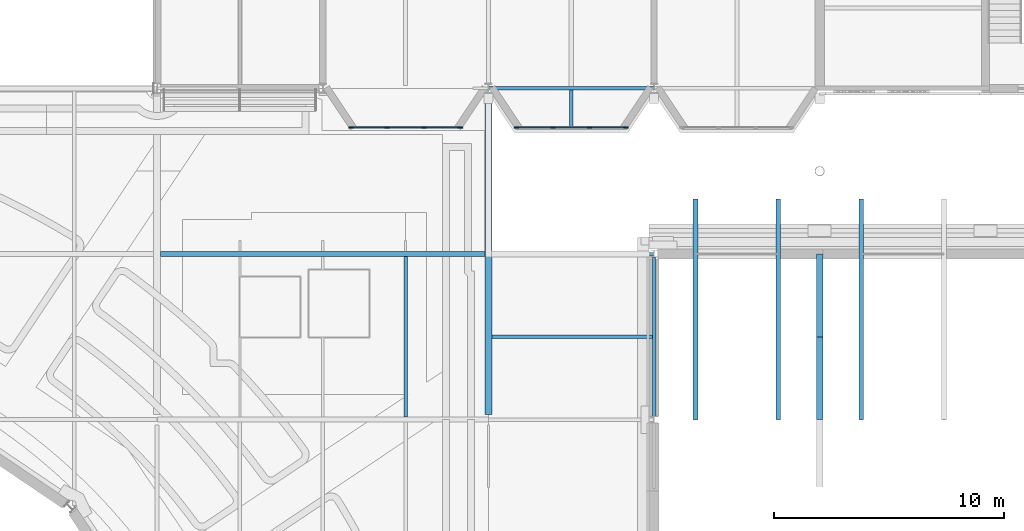
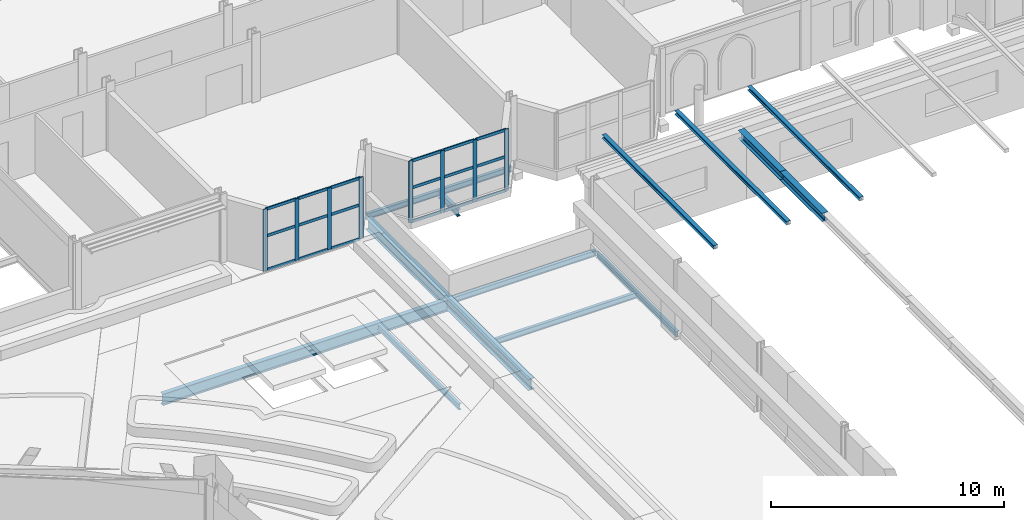
# One storey, part 25 of 110: 31 members, 8 beams, 2 elements without a shape of their own.
"""IFC4 building model written with IfcOpenShell, lengths in metres."""

from ifc_helpers import new_model, si_unit, direction, frame, origin, origin_2d, place, context, subcontext, project, spatial, rectangle, i_section, extrude, material, material_profile, profile_set, type_object, element, aggregate, save


model = new_model("IFC4")

# Units and contexts
model_context = context("Model", 3, precision=1e-05, world=origin(), true_north=direction((0.0, 1.0)))
body_context = subcontext(model_context, "Body", "Model", "MODEL_VIEW")
ifc_project = project(units=[si_unit("LENGTHUNIT", "METRE"), si_unit("AREAUNIT", "SQUARE_METRE"), si_unit("VOLUMEUNIT", "CUBIC_METRE"), si_unit("PLANEANGLEUNIT", "RADIAN"), si_unit("MASSUNIT", "GRAM", prefix="KILO")], contexts=[model_context])

# Site, building, storey
site_placement = place(None, origin())
site = spatial("IfcSite", under=ifc_project, at=site_placement, CompositionType="ELEMENT")
building_placement = place(site_placement, origin())
building = spatial("IfcBuilding", under=site, at=building_placement, Name="Kupolbacken Congress Centre", CompositionType="ELEMENT")
storey_placement = place(building_placement, frame((0.0, 0.0, 18.0)))
storey = spatial("IfcBuildingStorey", under=building, at=storey_placement, Name="L05", CompositionType="ELEMENT", Elevation=18.0)

# Beams
ifc_material_1 = material(Name="Steel S355", Category="steel")
ifc_material_profile_1 = material_profile(ifc_material_1, i_section(OverallWidth=0.14990234375, OverallDepth=0.300048828125, WebThickness=0.007080078125, FlangeThickness=0.0107421875, FilletRadius=0.014892578125, at=origin_2d()), Name="IPE 300")
ifc_profile_set_1 = profile_set([ifc_material_profile_1], Name="Steel S355")
beam_type_1 = type_object("IfcBeamType", Name="B04 beam IPE 300", PredefinedType="BEAM", material=ifc_profile_set_1)
beam_1_placement = place(storey_placement, frame((75.60009765625, 108.110107421875, -0.330078125), z_axis=(0.0, 1.0, 0.0), x_axis=(-1.0, 0.0, 0.0)))
element("IfcBeam", 1, at=beam_1_placement, inside=storey, type_object=beam_type_1, Name="S/floor/P/L05/S159", PredefinedType="BEAM", context=body_context, shape_type="SweptSolid", body=[
    extrude(i_section(OverallWidth=0.14990234375, OverallDepth=0.300048828125, WebThickness=0.007080078125, FlangeThickness=0.0107421875, FilletRadius=0.014892578125, at=origin_2d()), origin(), (0.0, 0.0, 1.0), 6.97998046875),
])
beam_2_placement = place(storey_placement, frame((86.39990234375, 108.14501953125, -0.330078125), z_axis=(0.0, 1.0, 0.0), x_axis=(-1.0, 0.0, 0.0)))
element("IfcBeam", 2, at=beam_2_placement, inside=storey, type_object=beam_type_1, Name="S/floor/LINK/L05/E009", PredefinedType="BEAM", context=body_context, shape_type="SweptSolid", body=[
    extrude(i_section(OverallWidth=0.14990234375, OverallDepth=0.300048828125, WebThickness=0.007080078125, FlangeThickness=0.0107421875, FilletRadius=0.014892578125, at=origin_2d()), origin(), (0.0, 0.0, 1.0), 6.909912109375),
])
beam_3_placement = place(storey_placement, frame((79.35009765625, 111.60009765625, -0.330078125), z_axis=(1.0, 0.0, 0.0), x_axis=(0.0, 1.0, 0.0)))
element("IfcBeam", 3, at=beam_3_placement, inside=storey, type_object=beam_type_1, Name="S/floor/LINK/L05/R021", PredefinedType="BEAM", context=body_context, shape_type="SweptSolid", body=[
    extrude(i_section(OverallWidth=0.14990234375, OverallDepth=0.300048828125, WebThickness=0.007080078125, FlangeThickness=0.0107421875, FilletRadius=0.014892578125, at=origin_2d()), origin(), (0.0, 0.0, 1.0), 6.974853515625),
])
beam_4_placement = place(storey_placement, frame((79.35009765625, 115.199951171875, -0.330078125), z_axis=(1.0, 0.0, 0.0), x_axis=(0.0, 1.0, 0.0)))
element("IfcBeam", 4, at=beam_4_placement, inside=storey, type_object=beam_type_1, Name="S/floor/LINK/L05/R022", PredefinedType="BEAM", context=body_context, shape_type="SweptSolid", body=[
    extrude(i_section(OverallWidth=0.14990234375, OverallDepth=0.300048828125, WebThickness=0.007080078125, FlangeThickness=0.0107421875, FilletRadius=0.014892578125, at=origin_2d()), origin(), (0.0, 0.0, 1.0), 7.045654296875),
])
beam_5_placement = place(storey_placement, frame((79.21044921875, 122.39990234375, -0.2900390625), z_axis=(1.0, 0.0, 0.0), x_axis=(0.0, 1.0, 0.0)))
element("IfcBeam", 5, at=beam_5_placement, inside=storey, type_object=beam_type_1, Name="S/floor/T/L05/R001", PredefinedType="BEAM", context=body_context, shape_type="SweptSolid", body=[
    extrude(i_section(OverallWidth=0.14990234375, OverallDepth=0.300048828125, WebThickness=0.007080078125, FlangeThickness=0.0107421875, FilletRadius=0.014892578125, at=origin_2d()), origin(), (0.0, 0.0, 1.0), 7.178955078125),
])
ifc_material_2 = material(Name="Steel S355", Category="steel")
ifc_material_profile_2 = material_profile(ifc_material_2, i_section(OverallWidth=0.169921875, OverallDepth=0.360107421875, WebThickness=0.008056640625, FlangeThickness=0.0126953125, FilletRadius=0.01806640625, at=origin_2d()), Name="IPE 360")
ifc_profile_set_2 = profile_set([ifc_material_profile_2], Name="Steel S355")
beam_type_2 = type_object("IfcBeamType", Name="B06 beam IPE 360", PredefinedType="BEAM", material=ifc_profile_set_2)
beam_6_placement = place(storey_placement, frame((82.800048828125, 122.324951171875, -0.320068359375), z_axis=(0.0, -1.0, 0.0), x_axis=(1.0, 0.0, 0.0)))
element("IfcBeam", 6, at=beam_6_placement, inside=storey, type_object=beam_type_2, Name="S/floor/T/L05/C080", PredefinedType="BEAM", context=body_context, shape_type="SweptSolid", body=[
    extrude(i_section(OverallWidth=0.169921875, OverallDepth=0.360107421875, WebThickness=0.008056640625, FlangeThickness=0.0126953125, FilletRadius=0.01806640625, at=origin_2d()), origin(), (0.0, 0.0, 1.0), 1.6650390625),
])
ifc_material_3 = material(Name="Steel S355", Category="steel")
ifc_material_profile_3 = material_profile(ifc_material_3, i_section(OverallWidth=0.219970703125, OverallDepth=0.60009765625, WebThickness=0.011962890625, FlangeThickness=0.01904296875, FilletRadius=0.02392578125, at=origin_2d()), Name="IPE 600")
ifc_profile_set_3 = profile_set([ifc_material_profile_3], Name="Steel S355")
beam_type_3 = type_object("IfcBeamType", Name="B11 beam IPE 600", PredefinedType="BEAM", material=ifc_profile_set_3)
beam_7_placement = place(storey_placement, frame((64.949951171875, 115.199951171875, -0.47998046875), z_axis=(1.0, 0.0, 0.0), x_axis=(0.0, 1.0, 0.0)))
element("IfcBeam", 7, at=beam_7_placement, inside=storey, type_object=beam_type_3, Name="S/floor/P/L05/R069", PredefinedType="BEAM", context=body_context, shape_type="SweptSolid", body=[
    extrude(i_section(OverallWidth=0.219970703125, OverallDepth=0.60009765625, WebThickness=0.011962890625, FlangeThickness=0.01904296875, FilletRadius=0.02392578125, at=origin_2d()), origin(), (0.0, 0.0, 1.0), 14.10009765625),
])
ifc_material_4 = material(Name="Steel S355", Category="steel")
ifc_material_profile_4 = material_profile(ifc_material_4, i_section(OverallWidth=0.300048828125, OverallDepth=0.60009765625, WebThickness=0.015380859375, FlangeThickness=0.030029296875, FilletRadius=0.027099609375, at=origin_2d()), Name="HEB 600")
ifc_profile_set_4 = profile_set([ifc_material_profile_4], Name="Steel S355")
beam_type_4 = type_object("IfcBeamType", Name="B15 beam HEB 600", PredefinedType="BEAM", material=ifc_profile_set_4)
beam_8_placement = place(storey_placement, frame((79.199951171875, 108.22509765625, -0.47998046875), z_axis=(0.0, 1.0, 0.0), x_axis=(-1.0, 0.0, 0.0)))
element("IfcBeam", 8, at=beam_8_placement, inside=storey, type_object=beam_type_4, Name="S/floor/P/L05/G037", PredefinedType="BEAM", context=body_context, shape_type="SweptSolid", body=[
    extrude(i_section(OverallWidth=0.300048828125, OverallDepth=0.60009765625, WebThickness=0.015380859375, FlangeThickness=0.030029296875, FilletRadius=0.027099609375, at=origin_2d()), origin(), (0.0, 0.0, 1.0), 13.958984375),
])

# Members
ifc_material_5 = material(Name="Steel S355", Category="steel")
ifc_material_profile_5 = material_profile(ifc_material_5, i_section(OverallWidth=0.300048828125, OverallDepth=0.43994140625, WebThickness=0.011474609375, FlangeThickness=0.02099609375, FilletRadius=0.027099609375, at=origin_2d()), Name="HEA 450")
ifc_profile_set_5 = profile_set([ifc_material_profile_5], Name="Steel S355")
member_type_1 = type_object("IfcMemberType", Name="M03 transfer truss chord HEA 450", PredefinedType="CHORD", material=ifc_profile_set_5)
member_1_placement = place(storey_placement, frame((93.60009765625, 108.0, 3.3798828125), z_axis=(0.0, 1.0, 0.0), x_axis=(-1.0, 0.0, 0.0)))
element("IfcMember", 9, at=member_1_placement, inside=storey, type_object=member_type_1, Name="HT/T1/TC19", PredefinedType="CHORD", context=body_context, shape_type="SweptSolid", body=[
    extrude(i_section(OverallWidth=0.300048828125, OverallDepth=0.43994140625, WebThickness=0.011474609375, FlangeThickness=0.02099609375, FilletRadius=0.027099609375, at=origin_2d()), origin(), (0.0, 0.0, 1.0), 3.60009765625),
])
member_2_placement = place(storey_placement, frame((93.60009765625, 111.60009765625, 3.3798828125), z_axis=(0.0, 1.0, 0.0), x_axis=(-1.0, 0.0, 0.0)))
element("IfcMember", 10, at=member_2_placement, inside=storey, type_object=member_type_1, Name="HT/T1/TC20", PredefinedType="CHORD", context=body_context, shape_type="SweptSolid", body=[
    extrude(i_section(OverallWidth=0.300048828125, OverallDepth=0.43994140625, WebThickness=0.011474609375, FlangeThickness=0.02099609375, FilletRadius=0.027099609375, at=origin_2d()), origin(), (0.0, 0.0, 1.0), 3.599853515625),
])
ifc_material_6 = material(Name="Steel S355", Category="steel")
ifc_material_profile_6 = material_profile(ifc_material_6, i_section(OverallWidth=0.199951171875, OverallDepth=0.18994140625, WebThickness=0.006591796875, FlangeThickness=0.010009765625, FilletRadius=0.01806640625, at=origin_2d()), Name="HEA 200")
ifc_profile_set_6 = profile_set([ifc_material_profile_6], Name="Steel S355")
member_type_2 = type_object("IfcMemberType", Name="M14 member HEA 200", PredefinedType="BRACE", material=ifc_profile_set_6)
for number, where, z_axis, x_axis, name in (
    (11, (88.199951171875, 108.0, 3.68505859375), (0.0, 1.0, 0.0), (-1.0, 0.0, 0.0), "HE/N01"),
    (12, (91.800048828125, 108.0, 3.68505859375), (0.0, 1.0, 0.0), (-1.0, 0.0, 0.0), "HE/N02"),
    (13, (95.39990234375, 108.0, 3.68505859375), (0.0, 1.0, 0.0), (-1.0, 0.0, 0.0), "HE/N03"),
):
    element("IfcMember", number, at=place(storey_placement, frame(where, z_axis=z_axis, x_axis=x_axis)), inside=storey, type_object=member_type_2, Name=name, PredefinedType="BRACE", context=body_context, shape_type="SweptSolid", body=[
        extrude(i_section(OverallWidth=0.199951171875, OverallDepth=0.18994140625, WebThickness=0.006591796875, FlangeThickness=0.010009765625, FilletRadius=0.01806640625, at=origin_2d()), origin(), (0.0, 0.0, 1.0), 9.60009765625),
    ])

# Curtain wall, members
ifc_material_7 = material(Name="Aluminium mullion-transom frame with glass", Category="aluminium")
curtain_wall_type = type_object("IfcCurtainWallType", Name="CW1 curtain wall 7200x3600", PredefinedType="NOTDEFINED", material=ifc_material_7)
curtain_wall_1_placement = place(storey_placement, origin())
curtain_wall_1 = element("IfcCurtainWall", 14, at=curtain_wall_1_placement, inside=storey, type_object=curtain_wall_type, Name="E/T/cumba/L05/S/001/cw", PredefinedType="NOTDEFINED")
ifc_material_8 = material(Name="Aluminium alloy", Category="aluminium")
ifc_material_profile_7 = material_profile(ifc_material_8, rectangle(XDim=0.050048828125, YDim=0.199951171875, at=origin_2d()), Name="50 x 200")
ifc_profile_set_7 = profile_set([ifc_material_profile_7], Name="Aluminium alloy")
member_type_3 = type_object("IfcMemberType", Name="MU2 mullion 50x200", PredefinedType="MULLION", material=ifc_profile_set_7)
member_3_placement = place(storey_placement, frame((73.22509765625, 120.699951171875, 0.0), z_axis=(0.0, 0.0, 1.0), x_axis=(0.0, 1.0, 0.0)))
member_3 = element("IfcMember", 15, at=member_3_placement, type_object=member_type_3, Name="CW1 mullion 1", PredefinedType="MULLION", context=body_context, shape_type="SweptSolid", body=[
    extrude(rectangle(XDim=0.050048828125, YDim=0.199951171875, at=origin_2d()), origin(), (0.0, 0.0, 1.0), 3.219970703125),
])
member_4_placement = place(storey_placement, frame((74.800048828125, 120.699951171875, 0.0), z_axis=(0.0, 0.0, 1.0), x_axis=(0.0, 1.0, 0.0)))
member_4 = element("IfcMember", 16, at=member_4_placement, type_object=member_type_3, Name="CW1 mullion 2", PredefinedType="MULLION", context=body_context, shape_type="SweptSolid", body=[
    extrude(rectangle(XDim=0.050048828125, YDim=0.199951171875, at=origin_2d()), origin(), (0.0, 0.0, 1.0), 3.219970703125),
])
member_5_placement = place(storey_placement, frame((76.39990234375, 120.699951171875, 0.0), z_axis=(0.0, 0.0, 1.0), x_axis=(0.0, 1.0, 0.0)))
member_5 = element("IfcMember", 17, at=member_5_placement, type_object=member_type_3, Name="CW1 mullion 3", PredefinedType="MULLION", context=body_context, shape_type="SweptSolid", body=[
    extrude(rectangle(XDim=0.050048828125, YDim=0.199951171875, at=origin_2d()), origin(), (0.0, 0.0, 1.0), 3.219970703125),
])
member_6_placement = place(storey_placement, frame((77.97509765625, 120.699951171875, 0.0), z_axis=(0.0, 0.0, 1.0), x_axis=(0.0, 1.0, 0.0)))
member_6 = element("IfcMember", 18, at=member_6_placement, type_object=member_type_3, Name="CW1 mullion 4", PredefinedType="MULLION", context=body_context, shape_type="SweptSolid", body=[
    extrude(rectangle(XDim=0.050048828125, YDim=0.199951171875, at=origin_2d()), origin(), (0.0, 0.0, 1.0), 3.219970703125),
])

curtain_wall_2_placement = place(storey_placement, origin())
curtain_wall_2 = element("IfcCurtainWall", 19, at=curtain_wall_2_placement, inside=storey, type_object=curtain_wall_type, Name="E/T/cumba/L05/S/005/cw", PredefinedType="NOTDEFINED")
member_7_placement = place(storey_placement, frame((80.425048828125, 120.699951171875, 0.0), z_axis=(0.0, 0.0, 1.0), x_axis=(0.0, 1.0, 0.0)))
member_7 = element("IfcMember", 20, at=member_7_placement, type_object=member_type_3, Name="CW1 mullion 1", PredefinedType="MULLION", context=body_context, shape_type="SweptSolid", body=[
    extrude(rectangle(XDim=0.050048828125, YDim=0.199951171875, at=origin_2d()), origin(), (0.0, 0.0, 1.0), 3.219970703125),
])
member_8_placement = place(storey_placement, frame((82.0, 120.699951171875, 0.0), z_axis=(0.0, 0.0, 1.0), x_axis=(0.0, 1.0, 0.0)))
member_8 = element("IfcMember", 21, at=member_8_placement, type_object=member_type_3, Name="CW1 mullion 2", PredefinedType="MULLION", context=body_context, shape_type="SweptSolid", body=[
    extrude(rectangle(XDim=0.050048828125, YDim=0.199951171875, at=origin_2d()), origin(), (0.0, 0.0, 1.0), 3.219970703125),
])
member_9_placement = place(storey_placement, frame((83.60009765625, 120.699951171875, 0.0), z_axis=(0.0, 0.0, 1.0), x_axis=(0.0, 1.0, 0.0)))
member_9 = element("IfcMember", 22, at=member_9_placement, type_object=member_type_3, Name="CW1 mullion 3", PredefinedType="MULLION", context=body_context, shape_type="SweptSolid", body=[
    extrude(rectangle(XDim=0.050048828125, YDim=0.199951171875, at=origin_2d()), origin(), (0.0, 0.0, 1.0), 3.219970703125),
])
member_10_placement = place(storey_placement, frame((85.175048828125, 120.699951171875, 0.0), z_axis=(0.0, 0.0, 1.0), x_axis=(0.0, 1.0, 0.0)))
member_10 = element("IfcMember", 23, at=member_10_placement, type_object=member_type_3, Name="CW1 mullion 4", PredefinedType="MULLION", context=body_context, shape_type="SweptSolid", body=[
    extrude(rectangle(XDim=0.050048828125, YDim=0.199951171875, at=origin_2d()), origin(), (0.0, 0.0, 1.0), 3.219970703125),
])

# Member
ifc_material_9 = material(Name="Aluminium alloy", Category="aluminium")
ifc_material_profile_8 = material_profile(ifc_material_9, rectangle(XDim=0.050048828125, YDim=0.14990234375, at=origin_2d()), Name="50 x 150")
ifc_profile_set_8 = profile_set([ifc_material_profile_8], Name="Aluminium alloy")
member_type_4 = type_object("IfcMemberType", Name="TR2 transom 50x150", PredefinedType="MULLION", material=ifc_profile_set_8)
member_11_placement = place(storey_placement, frame((73.25, 120.699951171875, 0.02490234375), z_axis=(1.0, 0.0, 0.0), x_axis=(0.0, 1.0, 0.0)))
member_11 = element("IfcMember", 24, at=member_11_placement, type_object=member_type_4, Name="CW1 transom 1.1", PredefinedType="MULLION", context=body_context, shape_type="SweptSolid", body=[
    extrude(rectangle(XDim=0.050048828125, YDim=0.14990234375, at=origin_2d()), origin(), (0.0, 0.0, 1.0), 1.52490234375),
])

member_12_placement = place(storey_placement, frame((73.25, 120.699951171875, 1.800048828125), z_axis=(1.0, 0.0, 0.0), x_axis=(0.0, 1.0, 0.0)))
member_12 = element("IfcMember", 25, at=member_12_placement, type_object=member_type_4, Name="CW1 transom 1.2", PredefinedType="MULLION", context=body_context, shape_type="SweptSolid", body=[
    extrude(rectangle(XDim=0.050048828125, YDim=0.14990234375, at=origin_2d()), origin(), (0.0, 0.0, 1.0), 1.52490234375),
])

member_13_placement = place(storey_placement, frame((73.25, 120.699951171875, 3.195068359375), z_axis=(1.0, 0.0, 0.0), x_axis=(0.0, 1.0, 0.0)))
member_13 = element("IfcMember", 26, at=member_13_placement, type_object=member_type_4, Name="CW1 transom 1.3", PredefinedType="MULLION", context=body_context, shape_type="SweptSolid", body=[
    extrude(rectangle(XDim=0.050048828125, YDim=0.14990234375, at=origin_2d()), origin(), (0.0, 0.0, 1.0), 1.52490234375),
])

member_14_placement = place(storey_placement, frame((74.824951171875, 120.699951171875, 0.02490234375), z_axis=(1.0, 0.0, 0.0), x_axis=(0.0, 1.0, 0.0)))
member_14 = element("IfcMember", 27, at=member_14_placement, type_object=member_type_4, Name="CW1 transom 2.1", PredefinedType="MULLION", context=body_context, shape_type="SweptSolid", body=[
    extrude(rectangle(XDim=0.050048828125, YDim=0.14990234375, at=origin_2d()), origin(), (0.0, 0.0, 1.0), 1.550048828125),
])

member_15_placement = place(storey_placement, frame((74.824951171875, 120.699951171875, 1.800048828125), z_axis=(1.0, 0.0, 0.0), x_axis=(0.0, 1.0, 0.0)))
member_15 = element("IfcMember", 28, at=member_15_placement, type_object=member_type_4, Name="CW1 transom 2.2", PredefinedType="MULLION", context=body_context, shape_type="SweptSolid", body=[
    extrude(rectangle(XDim=0.050048828125, YDim=0.14990234375, at=origin_2d()), origin(), (0.0, 0.0, 1.0), 1.550048828125),
])

member_16_placement = place(storey_placement, frame((74.824951171875, 120.699951171875, 3.195068359375), z_axis=(1.0, 0.0, 0.0), x_axis=(0.0, 1.0, 0.0)))
member_16 = element("IfcMember", 29, at=member_16_placement, type_object=member_type_4, Name="CW1 transom 2.3", PredefinedType="MULLION", context=body_context, shape_type="SweptSolid", body=[
    extrude(rectangle(XDim=0.050048828125, YDim=0.14990234375, at=origin_2d()), origin(), (0.0, 0.0, 1.0), 1.550048828125),
])

member_17_placement = place(storey_placement, frame((76.425048828125, 120.699951171875, 0.02490234375), z_axis=(1.0, 0.0, 0.0), x_axis=(0.0, 1.0, 0.0)))
member_17 = element("IfcMember", 30, at=member_17_placement, type_object=member_type_4, Name="CW1 transom 3.1", PredefinedType="MULLION", context=body_context, shape_type="SweptSolid", body=[
    extrude(rectangle(XDim=0.050048828125, YDim=0.14990234375, at=origin_2d()), origin(), (0.0, 0.0, 1.0), 1.52490234375),
])

member_18_placement = place(storey_placement, frame((76.425048828125, 120.699951171875, 1.800048828125), z_axis=(1.0, 0.0, 0.0), x_axis=(0.0, 1.0, 0.0)))
member_18 = element("IfcMember", 31, at=member_18_placement, type_object=member_type_4, Name="CW1 transom 3.2", PredefinedType="MULLION", context=body_context, shape_type="SweptSolid", body=[
    extrude(rectangle(XDim=0.050048828125, YDim=0.14990234375, at=origin_2d()), origin(), (0.0, 0.0, 1.0), 1.52490234375),
])

member_19_placement = place(storey_placement, frame((76.425048828125, 120.699951171875, 3.195068359375), z_axis=(1.0, 0.0, 0.0), x_axis=(0.0, 1.0, 0.0)))
member_19 = element("IfcMember", 32, at=member_19_placement, type_object=member_type_4, Name="CW1 transom 3.3", PredefinedType="MULLION", context=body_context, shape_type="SweptSolid", body=[
    extrude(rectangle(XDim=0.050048828125, YDim=0.14990234375, at=origin_2d()), origin(), (0.0, 0.0, 1.0), 1.52490234375),
])

aggregate(curtain_wall_1, [member_3, member_4, member_5, member_6, member_11, member_12, member_13, member_14, member_15, member_16, member_17, member_18, member_19])

member_20_placement = place(storey_placement, frame((80.449951171875, 120.699951171875, 0.02490234375), z_axis=(1.0, 0.0, 0.0), x_axis=(0.0, 1.0, 0.0)))
member_20 = element("IfcMember", 33, at=member_20_placement, type_object=member_type_4, Name="CW1 transom 1.1", PredefinedType="MULLION", context=body_context, shape_type="SweptSolid", body=[
    extrude(rectangle(XDim=0.050048828125, YDim=0.14990234375, at=origin_2d()), origin(), (0.0, 0.0, 1.0), 1.525146484375),
])

member_21_placement = place(storey_placement, frame((80.449951171875, 120.699951171875, 1.800048828125), z_axis=(1.0, 0.0, 0.0), x_axis=(0.0, 1.0, 0.0)))
member_21 = element("IfcMember", 34, at=member_21_placement, type_object=member_type_4, Name="CW1 transom 1.2", PredefinedType="MULLION", context=body_context, shape_type="SweptSolid", body=[
    extrude(rectangle(XDim=0.050048828125, YDim=0.14990234375, at=origin_2d()), origin(), (0.0, 0.0, 1.0), 1.525146484375),
])

member_22_placement = place(storey_placement, frame((80.449951171875, 120.699951171875, 3.195068359375), z_axis=(1.0, 0.0, 0.0), x_axis=(0.0, 1.0, 0.0)))
member_22 = element("IfcMember", 35, at=member_22_placement, type_object=member_type_4, Name="CW1 transom 1.3", PredefinedType="MULLION", context=body_context, shape_type="SweptSolid", body=[
    extrude(rectangle(XDim=0.050048828125, YDim=0.14990234375, at=origin_2d()), origin(), (0.0, 0.0, 1.0), 1.525146484375),
])

member_23_placement = place(storey_placement, frame((82.02490234375, 120.699951171875, 0.02490234375), z_axis=(1.0, 0.0, 0.0), x_axis=(0.0, 1.0, 0.0)))
member_23 = element("IfcMember", 36, at=member_23_placement, type_object=member_type_4, Name="CW1 transom 2.1", PredefinedType="MULLION", context=body_context, shape_type="SweptSolid", body=[
    extrude(rectangle(XDim=0.050048828125, YDim=0.14990234375, at=origin_2d()), origin(), (0.0, 0.0, 1.0), 1.550048828125),
])

member_24_placement = place(storey_placement, frame((82.02490234375, 120.699951171875, 1.800048828125), z_axis=(1.0, 0.0, 0.0), x_axis=(0.0, 1.0, 0.0)))
member_24 = element("IfcMember", 37, at=member_24_placement, type_object=member_type_4, Name="CW1 transom 2.2", PredefinedType="MULLION", context=body_context, shape_type="SweptSolid", body=[
    extrude(rectangle(XDim=0.050048828125, YDim=0.14990234375, at=origin_2d()), origin(), (0.0, 0.0, 1.0), 1.550048828125),
])

member_25_placement = place(storey_placement, frame((82.02490234375, 120.699951171875, 3.195068359375), z_axis=(1.0, 0.0, 0.0), x_axis=(0.0, 1.0, 0.0)))
member_25 = element("IfcMember", 38, at=member_25_placement, type_object=member_type_4, Name="CW1 transom 2.3", PredefinedType="MULLION", context=body_context, shape_type="SweptSolid", body=[
    extrude(rectangle(XDim=0.050048828125, YDim=0.14990234375, at=origin_2d()), origin(), (0.0, 0.0, 1.0), 1.550048828125),
])

member_26_placement = place(storey_placement, frame((83.625, 120.699951171875, 0.02490234375), z_axis=(1.0, 0.0, 0.0), x_axis=(0.0, 1.0, 0.0)))
member_26 = element("IfcMember", 39, at=member_26_placement, type_object=member_type_4, Name="CW1 transom 3.1", PredefinedType="MULLION", context=body_context, shape_type="SweptSolid", body=[
    extrude(rectangle(XDim=0.050048828125, YDim=0.14990234375, at=origin_2d()), origin(), (0.0, 0.0, 1.0), 1.52490234375),
])

member_27_placement = place(storey_placement, frame((83.625, 120.699951171875, 1.800048828125), z_axis=(1.0, 0.0, 0.0), x_axis=(0.0, 1.0, 0.0)))
member_27 = element("IfcMember", 40, at=member_27_placement, type_object=member_type_4, Name="CW1 transom 3.2", PredefinedType="MULLION", context=body_context, shape_type="SweptSolid", body=[
    extrude(rectangle(XDim=0.050048828125, YDim=0.14990234375, at=origin_2d()), origin(), (0.0, 0.0, 1.0), 1.52490234375),
])

member_28_placement = place(storey_placement, frame((83.625, 120.699951171875, 3.195068359375), z_axis=(1.0, 0.0, 0.0), x_axis=(0.0, 1.0, 0.0)))
member_28 = element("IfcMember", 41, at=member_28_placement, type_object=member_type_4, Name="CW1 transom 3.3", PredefinedType="MULLION", context=body_context, shape_type="SweptSolid", body=[
    extrude(rectangle(XDim=0.050048828125, YDim=0.14990234375, at=origin_2d()), origin(), (0.0, 0.0, 1.0), 1.52490234375),
])

aggregate(curtain_wall_2, [member_7, member_8, member_9, member_10, member_20, member_21, member_22, member_23, member_24, member_25, member_26, member_27, member_28])

save(model, "model.ifc")
